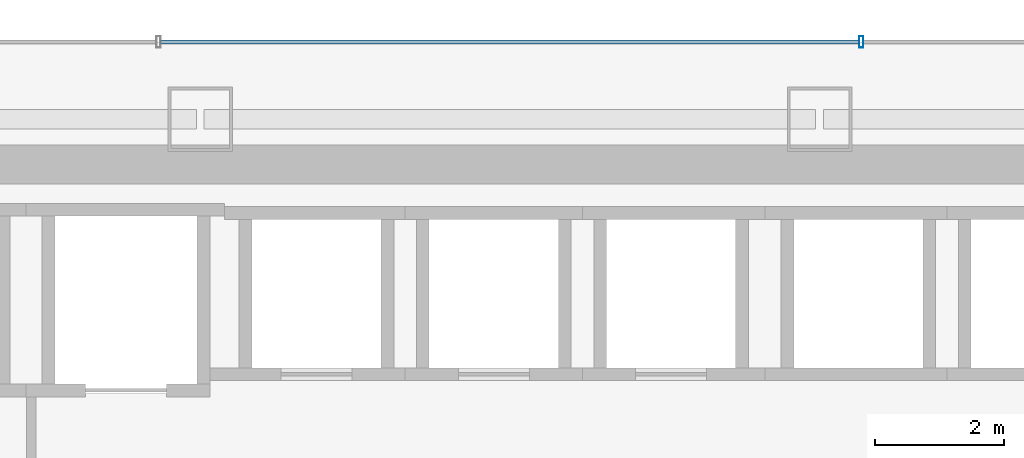
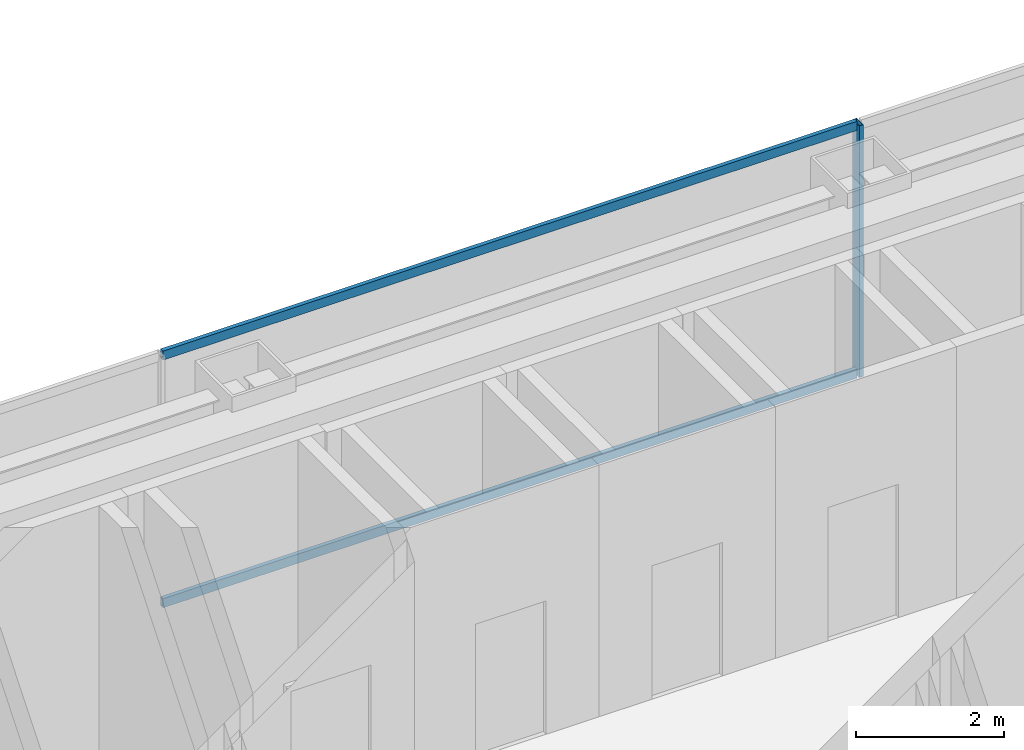
# One storey, part 25 of 37: 3 members, 1 element without a shape of its own.
"""IFC4 building model written with IfcOpenShell, lengths in metres."""

from ifc_helpers import new_model, si_unit, direction, frame, origin, origin_2d, place, context, subcontext, project, spatial, hollow_rectangle, extrude, material, material_profile, profile_set, type_object, element, aggregate, save


model = new_model("IFC4")

# Units and contexts
model_context = context("Model", 3, precision=1e-05, world=origin(), true_north=direction((0.0, 1.0)))
body_context = subcontext(model_context, "Body", "Model", "MODEL_VIEW")
ifc_project = project(units=[si_unit("LENGTHUNIT", "METRE"), si_unit("AREAUNIT", "SQUARE_METRE"), si_unit("VOLUMEUNIT", "CUBIC_METRE"), si_unit("PLANEANGLEUNIT", "RADIAN"), si_unit("MASSUNIT", "GRAM", prefix="KILO")], contexts=[model_context])

# Site, building, storey
site_placement = place(None, origin())
site = spatial("IfcSite", under=ifc_project, at=site_placement, CompositionType="ELEMENT")
building_placement = place(site_placement, origin())
building = spatial("IfcBuilding", under=site, at=building_placement, Name="Saevonmaru Cultural Tower", CompositionType="ELEMENT")
storey_placement = place(building_placement, frame((0.0, 0.0, 114.800048828125)))
storey = spatial("IfcBuildingStorey", under=building, at=storey_placement, Name="L24", CompositionType="ELEMENT", Elevation=114.800048828125)

# Curtain wall, members
ifc_material = material(Name="Satin Bronze Anodised Aluminium", Category="aluminium")
curtain_wall_type = type_object("IfcCurtainWallType", Name="CW-TYP-A", PredefinedType="NOTDEFINED", material=ifc_material)
curtain_wall_placement = place(storey_placement, origin())
curtain_wall = element("IfcCurtainWall", 1, at=curtain_wall_placement, inside=storey, type_object=curtain_wall_type, Name="L24 North Spine Unitised Curtain Wall E10B", PredefinedType="NOTDEFINED")
ifc_material_profile_1 = material_profile(ifc_material, hollow_rectangle(XDim=0.06494140625, YDim=0.179931640625, WallThickness=0.00390625, at=origin_2d()), Name="ALU-MULL-180x65x4")
ifc_profile_set_1 = profile_set([ifc_material_profile_1], Name="Satin Bronze Anodised Aluminium")
member_type_1 = type_object("IfcMemberType", Name="ML-CW-180x65", PredefinedType="MULLION", material=ifc_profile_set_1)
member_1_placement = place(storey_placement, frame((35.44677734375, 56.0, 0.0), z_axis=(0.0, 0.0, 1.0), x_axis=(-1.0, 0.0, 0.0)))
member_1 = element("IfcMember", 2, at=member_1_placement, type_object=member_type_1, Name="CW-TW-L24-E10B mullion 2", PredefinedType="MULLION", context=body_context, shape_type="SweptSolid", body=[
    extrude(hollow_rectangle(XDim=0.06494140625, YDim=0.179931640625, WallThickness=0.00390625, at=origin_2d()), origin(), (0.0, 0.0, 1.0), 4.14990234375),
])
ifc_material_profile_2 = material_profile(ifc_material, hollow_rectangle(XDim=0.06494140625, YDim=0.14990234375, WallThickness=0.00390625, at=origin_2d()), Name="ALU-TRAN-150x65x4")
ifc_profile_set_2 = profile_set([ifc_material_profile_2], Name="Satin Bronze Anodised Aluminium")
member_type_2 = type_object("IfcMemberType", Name="TR-CW-150x65", PredefinedType="USERDEFINED", material=ifc_profile_set_2)
member_2_placement = place(storey_placement, frame((35.4140625, 56.0, 0.032470703125), z_axis=(-1.0, 0.0, 0.0), x_axis=(0.0, -1.0, 0.0)))
member_2 = element("IfcMember", 3, at=member_2_placement, type_object=member_type_2, Name="CW-TW-L24-E10B transom 2.1", ObjectType="TRANSOM", PredefinedType="USERDEFINED", context=body_context, shape_type="SweptSolid", body=[
    extrude(hollow_rectangle(XDim=0.06494140625, YDim=0.14990234375, WallThickness=0.00390625, at=origin_2d()), origin(), (0.0, 0.0, 1.0), 10.828125),
])
member_3_placement = place(storey_placement, frame((35.4140625, 56.0, 4.117431640625), z_axis=(-1.0, 0.0, 0.0), x_axis=(0.0, -1.0, 0.0)))
member_3 = element("IfcMember", 4, at=member_3_placement, type_object=member_type_2, Name="CW-TW-L24-E10B transom 2.2", ObjectType="TRANSOM", PredefinedType="USERDEFINED", context=body_context, shape_type="SweptSolid", body=[
    extrude(hollow_rectangle(XDim=0.06494140625, YDim=0.14990234375, WallThickness=0.00390625, at=origin_2d()), origin(), (0.0, 0.0, 1.0), 10.828125),
])
aggregate(curtain_wall, [member_1, member_2, member_3])

save(model, "model.ifc")
